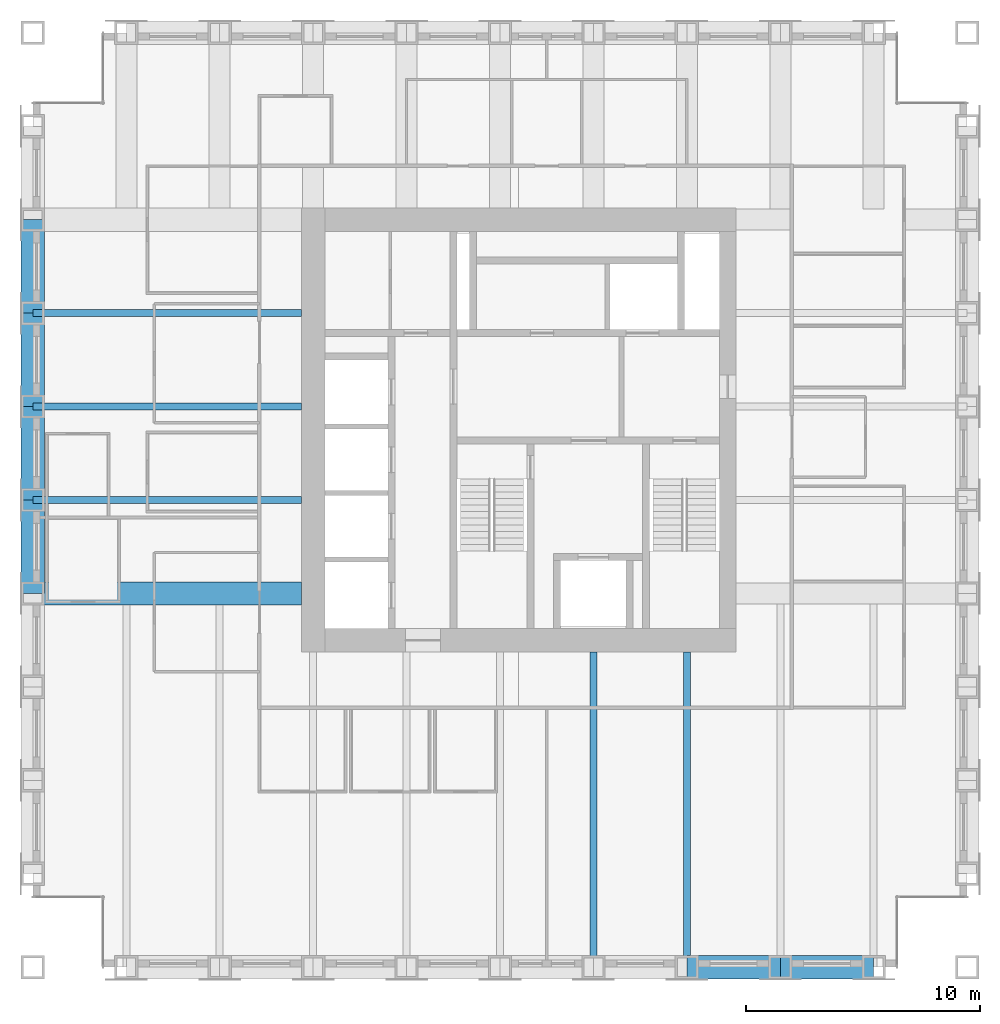
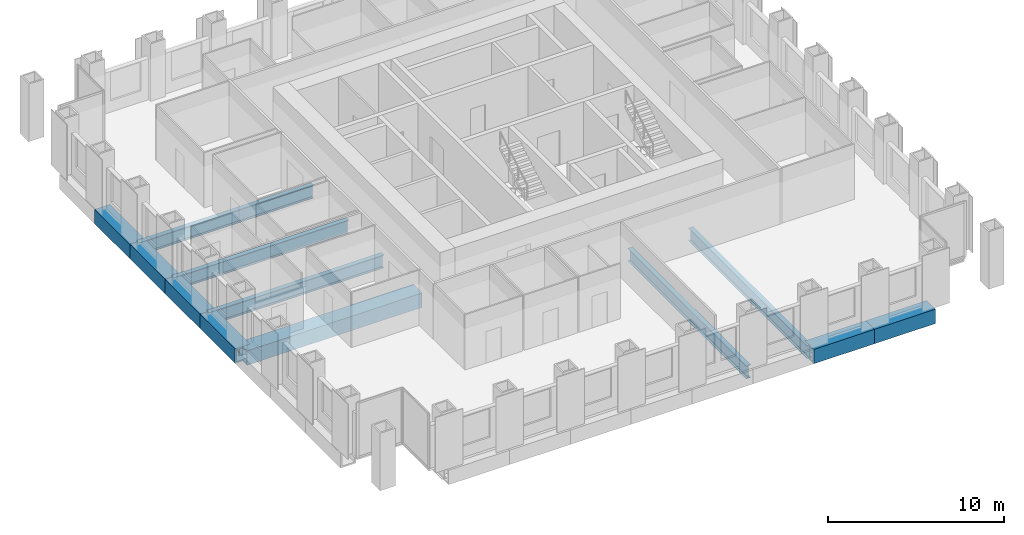
# One storey, part 3 of 13: 12 beams.
"""IFC4 building model written with IfcOpenShell, lengths in metres."""

from ifc_helpers import new_model, si_unit, direction, frame, origin, origin_2d, place, context, subcontext, project, spatial, hollow_rectangle, i_section, extrude, material, material_profile, profile_set, type_object, element, save


model = new_model("IFC4")

# Units and contexts
model_context = context("Model", 3, precision=1e-05, world=origin(), true_north=direction((0.0, 1.0)))
body_context = subcontext(model_context, "Body", "Model", "MODEL_VIEW")
ifc_project = project(units=[si_unit("LENGTHUNIT", "METRE"), si_unit("AREAUNIT", "SQUARE_METRE"), si_unit("VOLUMEUNIT", "CUBIC_METRE"), si_unit("PLANEANGLEUNIT", "RADIAN"), si_unit("MASSUNIT", "GRAM", prefix="KILO")], contexts=[model_context])

# Site, building, storey
site_placement = place(None, origin())
site = spatial("IfcSite", under=ifc_project, at=site_placement, CompositionType="ELEMENT")
building_placement = place(site_placement, origin())
building = spatial("IfcBuilding", under=site, at=building_placement, Name="Rimbunsela Tower", CompositionType="ELEMENT")
storey_placement = place(building_placement, frame((0.0, 0.0, 294.199951171875)))
storey = spatial("IfcBuildingStorey", under=building, at=storey_placement, Name="L71", CompositionType="ELEMENT", Elevation=294.199951171875)

# Beams
ifc_material_1 = material(Name="Steel BJ 55 (fy 410 MPa)", Category="steel")
ifc_material_profile_1 = material_profile(ifc_material_1, hollow_rectangle(XDim=1.0, YDim=1.0, WallThickness=0.10009765625, at=origin_2d()), Name="BOX 1000x1000x100")
ifc_profile_set_1 = profile_set([ifc_material_profile_1], Name="Steel BJ 55 (fy 410 MPa)")
beam_type_1 = type_object("IfcBeamType", Name="Beam BOX 1000x1000x100", PredefinedType="BEAM", material=ifc_profile_set_1)
beam_1_placement = place(storey_placement, frame((6.0, 20.0, -0.64990234375), z_axis=(0.0, 1.0, 0.0), x_axis=(-1.0, 0.0, 0.0)))
element("IfcBeam", 1, at=beam_1_placement, inside=storey, type_object=beam_type_1, Name="Beam B3 L71", PredefinedType="BEAM", context=body_context, shape_type="SweptSolid", body=[
    extrude(hollow_rectangle(XDim=1.0, YDim=1.0, WallThickness=0.10009765625, at=origin_2d()), origin(), (0.0, 0.0, 1.0), 4.0),
])
beam_2_placement = place(storey_placement, frame((6.0, 20.0, -0.64990234375), z_axis=(1.0, 0.0, 0.0), x_axis=(0.0, 1.0, 0.0)))
element("IfcBeam", 2, at=beam_2_placement, inside=storey, type_object=beam_type_1, Name="Beam B3 L71", PredefinedType="BEAM", context=body_context, shape_type="SweptSolid", body=[
    extrude(hollow_rectangle(XDim=1.0, YDim=1.0, WallThickness=0.10009765625, at=origin_2d()), origin(), (0.0, 0.0, 1.0), 11.5),
])
for number, where, z_axis, x_axis, name in (
    (3, (6.0, 24.0, -0.64990234375), (0.0, 1.0, 0.0), (-1.0, 0.0, 0.0), "Beam B3 L71"),
    (4, (6.0, 28.0, -0.64990234375), (0.0, 1.0, 0.0), (-1.0, 0.0, 0.0), "Beam B3 L71"),
    (5, (6.0, 32.0, -0.64990234375), (0.0, 1.0, 0.0), (-1.0, 0.0, 0.0), "Beam B3 L71"),
    (6, (34.0, 4.0, -0.64990234375), (1.0, 0.0, 0.0), (0.0, 1.0, 0.0), "Beam B3 L71"),
    (7, (38.0, 4.0, -0.64990234375), (1.0, 0.0, 0.0), (0.0, 1.0, 0.0), "Beam B3 L71"),
):
    element("IfcBeam", number, at=place(storey_placement, frame(where, z_axis=z_axis, x_axis=x_axis)), inside=storey, type_object=beam_type_1, Name=name, PredefinedType="BEAM", context=body_context, shape_type="SweptSolid", body=[
        extrude(hollow_rectangle(XDim=1.0, YDim=1.0, WallThickness=0.10009765625, at=origin_2d()), origin(), (0.0, 0.0, 1.0), 4.0),
    ])
ifc_material_2 = material(Name="Steel BJ 55 (fy 410 MPa)", Category="steel")
ifc_material_profile_2 = material_profile(ifc_material_2, i_section(OverallWidth=0.300048828125, OverallDepth=0.89990234375, WebThickness=0.01611328125, FlangeThickness=0.028076171875, FilletRadius=0.028076171875, at=origin_2d()), Name="H 900x300x16x28")
ifc_profile_set_2 = profile_set([ifc_material_profile_2], Name="Steel BJ 55 (fy 410 MPa)")
beam_type_2 = type_object("IfcBeamType", Name="Beam H 900x300x16x28", PredefinedType="BEAM", material=ifc_profile_set_2)
for number, where, z_axis, x_axis, name in (
    (8, (6.0, 24.0, -0.599853515625), (1.0, 0.0, 0.0), (0.0, 1.0, 0.0), "Beam B2 L71"),
    (9, (6.0, 28.0, -0.599853515625), (1.0, 0.0, 0.0), (0.0, 1.0, 0.0), "Beam B2 L71"),
    (10, (6.0, 32.0, -0.599853515625), (1.0, 0.0, 0.0), (0.0, 1.0, 0.0), "Beam B2 L71"),
):
    element("IfcBeam", number, at=place(storey_placement, frame(where, z_axis=z_axis, x_axis=x_axis)), inside=storey, type_object=beam_type_2, Name=name, PredefinedType="BEAM", context=body_context, shape_type="SweptSolid", body=[
        extrude(i_section(OverallWidth=0.300048828125, OverallDepth=0.89990234375, WebThickness=0.01611328125, FlangeThickness=0.028076171875, FilletRadius=0.028076171875, at=origin_2d()), origin(), (0.0, 0.0, 1.0), 11.5),
    ])
for number, where, z_axis, x_axis, name in (
    (11, (30.0, 4.0, -0.599853515625), (0.0, 1.0, 0.0), (-1.0, 0.0, 0.0), "Beam B2 L71"),
    (12, (34.0, 4.0, -0.599853515625), (0.0, 1.0, 0.0), (-1.0, 0.0, 0.0), "Beam B2 L71"),
):
    element("IfcBeam", number, at=place(storey_placement, frame(where, z_axis=z_axis, x_axis=x_axis)), inside=storey, type_object=beam_type_2, Name=name, PredefinedType="BEAM", context=body_context, shape_type="SweptSolid", body=[
        extrude(i_section(OverallWidth=0.300048828125, OverallDepth=0.89990234375, WebThickness=0.01611328125, FlangeThickness=0.028076171875, FilletRadius=0.028076171875, at=origin_2d()), origin(), (0.0, 0.0, 1.0), 13.5),
    ])

save(model, "model.ifc")
